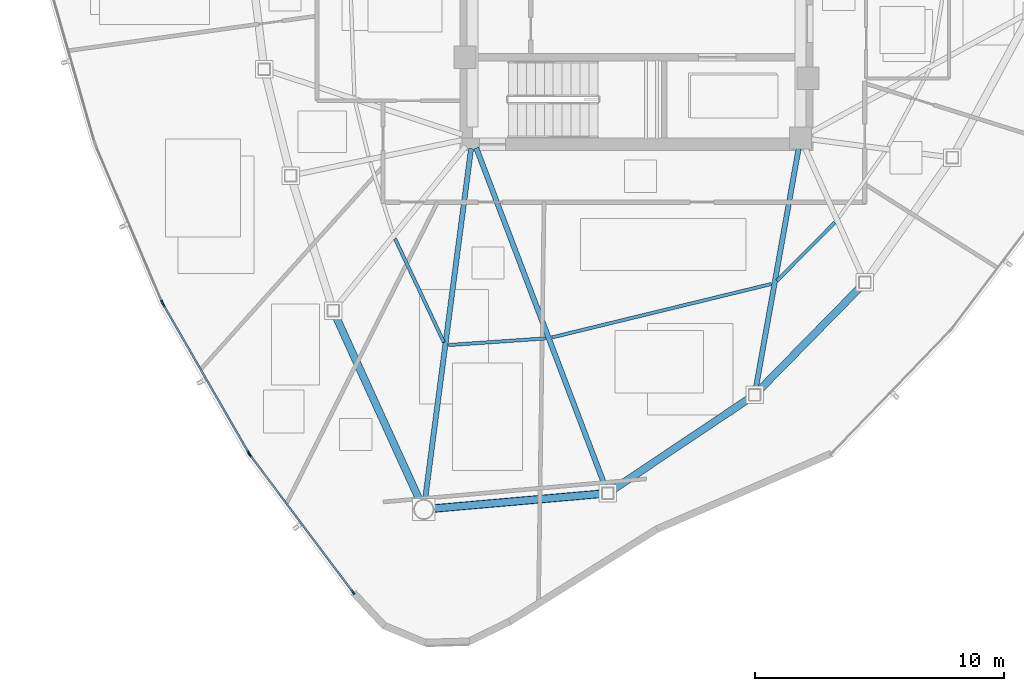
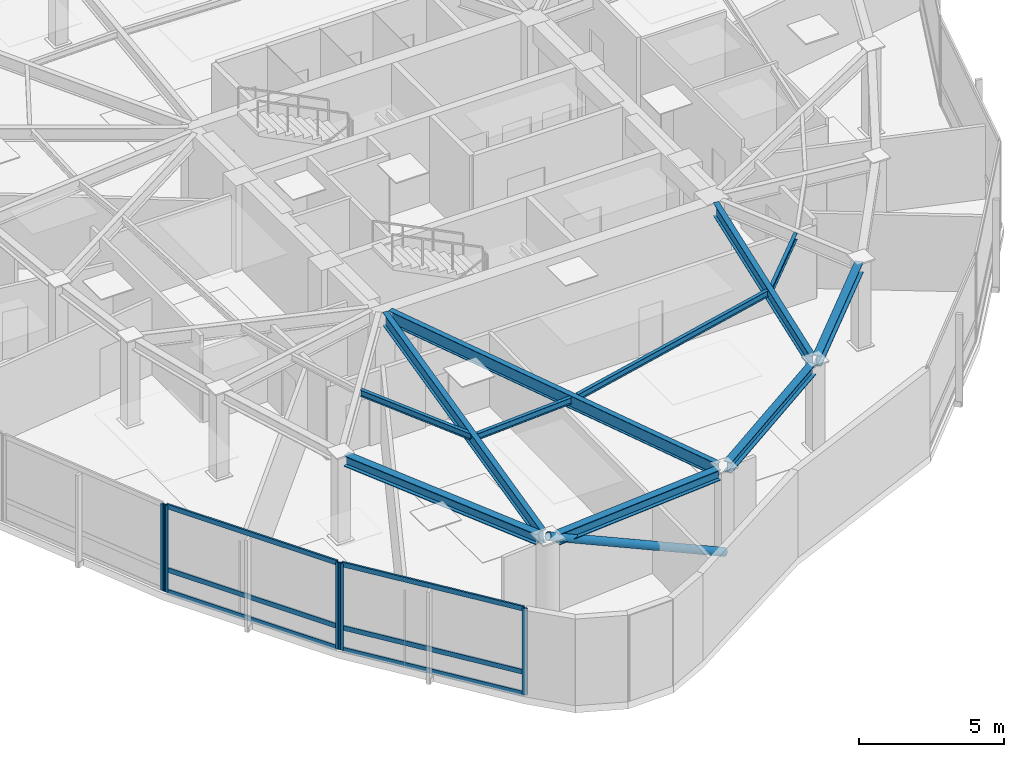
# One storey, part 2 of 14: 12 members, 11 beams, 3 elements without a shape of their own.
"""IFC4 building model written with IfcOpenShell, lengths in metres."""

from ifc_helpers import new_model, si_unit, direction, frame, origin, origin_2d, place, context, subcontext, project, spatial, hollow_rectangle, hollow_circle, i_section, extrude, source, transform, mapped, material, layer, layer_set, material_profile, profile_set, type_object, type_shapes, element, aggregate, save


model = new_model("IFC4")

# Units and contexts
model_context = context("Model", 3, precision=1e-05, world=origin(), true_north=direction((0.0, 1.0)))
body_context = subcontext(model_context, "Body", "Model", "MODEL_VIEW")
ifc_project = project(units=[si_unit("LENGTHUNIT", "METRE"), si_unit("AREAUNIT", "SQUARE_METRE"), si_unit("VOLUMEUNIT", "CUBIC_METRE"), si_unit("PLANEANGLEUNIT", "RADIAN"), si_unit("MASSUNIT", "GRAM", prefix="KILO")], contexts=[model_context])

# Site, building, storey
site_placement = place(None, origin())
site = spatial("IfcSite", under=ifc_project, at=site_placement, CompositionType="ELEMENT")
building_placement = place(site_placement, origin())
building = spatial("IfcBuilding", under=site, at=building_placement, Name="Tavelor Broadcast Tower", CompositionType="ELEMENT")
storey_placement = place(building_placement, frame((0.0, 0.0, 249.800048828125)))
storey = spatial("IfcBuildingStorey", under=building, at=storey_placement, Name="L59", CompositionType="ELEMENT", Elevation=249.800048828125)

# Beams
ifc_material_1 = material(Name="Steel S355", Category="steel")
ifc_material_profile_1 = material_profile(ifc_material_1, i_section(OverallWidth=0.135009765625, OverallDepth=0.27001953125, WebThickness=0.006591796875, FlangeThickness=0.01025390625, at=origin_2d()), Name="IPE 270")
ifc_profile_set_1 = profile_set([ifc_material_profile_1], Name="Steel S355")
beam_type_1 = type_object("IfcBeamType", Name="Composite Floor Joist T6 IPE 270", PredefinedType="JOIST", material=ifc_profile_set_1)
beam_1_placement = place(storey_placement, frame((40.28466796875, 34.7451171875, 3.514892578125), z_axis=(0.426527038786, -0.904474811802, 0.0), x_axis=(0.904474811802, 0.426527038786, 0.0)))
element("IfcBeam", 1, at=beam_1_placement, inside=storey, type_object=beam_type_1, Name="L59 Secondary Composite Floor Joist 06", PredefinedType="JOIST", context=body_context, shape_type="SweptSolid", body=[
    extrude(i_section(OverallWidth=0.135009765625, OverallDepth=0.27001953125, WebThickness=0.006591796875, FlangeThickness=0.01025390625, at=origin_2d()), origin(), (0.0, 0.0, 1.0), 4.60546875),
])
beam_2_placement = place(storey_placement, frame((42.440185546875, 30.46728515625, 3.514892578125), z_axis=(0.997669102567, 0.068237539396, 0.0), x_axis=(-0.068237539396, 0.997669102567, 0.0)))
element("IfcBeam", 2, at=beam_2_placement, inside=storey, type_object=beam_type_1, Name="L59 Secondary Composite Floor Joist 07", PredefinedType="JOIST", context=body_context, shape_type="SweptSolid", body=[
    extrude(i_section(OverallWidth=0.135009765625, OverallDepth=0.27001953125, WebThickness=0.006591796875, FlangeThickness=0.01025390625, at=origin_2d()), origin(), (0.0, 0.0, 1.0), 3.9033203125),
])
beam_3_placement = place(storey_placement, frame((46.598876953125, 30.7744140625, 3.514892578125), z_axis=(0.971610196631, 0.236587459098, 0.0), x_axis=(-0.236587459098, 0.971610196631, 0.0)))
element("IfcBeam", 3, at=beam_3_placement, inside=storey, type_object=beam_type_1, Name="L59 Secondary Composite Floor Joist 08", PredefinedType="JOIST", context=body_context, shape_type="SweptSolid", body=[
    extrude(i_section(OverallWidth=0.135009765625, OverallDepth=0.27001953125, WebThickness=0.006591796875, FlangeThickness=0.01025390625, at=origin_2d()), origin(), (0.0, 0.0, 1.0), 9.0849609375),
])
beam_4_placement = place(storey_placement, frame((55.65087890625, 33.051025390625, 3.514892578125), z_axis=(0.704295844868, 0.709906587448, 0.0), x_axis=(-0.709906587448, 0.704295844868, 0.0)))
element("IfcBeam", 4, at=beam_4_placement, inside=storey, type_object=beam_type_1, Name="L59 Secondary Composite Floor Joist 09", PredefinedType="JOIST", context=body_context, shape_type="SweptSolid", body=[
    extrude(i_section(OverallWidth=0.135009765625, OverallDepth=0.27001953125, WebThickness=0.006591796875, FlangeThickness=0.01025390625, at=origin_2d()), origin(), (0.0, 0.0, 1.0), 3.306884765625),
])
ifc_material_profile_2 = material_profile(ifc_material_1, i_section(OverallWidth=0.300048828125, OverallDepth=0.449951171875, WebThickness=0.013916015625, FlangeThickness=0.02587890625, at=origin_2d()), Name="HEB 450")
ifc_profile_set_2 = profile_set([ifc_material_profile_2], Name="Steel S355")
beam_type_2 = type_object("IfcBeamType", Name="Perimeter Spandrel Beam T6 HEB 450", PredefinedType="SPANDREL", material=ifc_profile_set_2)
beam_5_placement = place(storey_placement, frame((37.896484375, 31.635009765625, 3.425048828125), z_axis=(0.414463300231, -0.910066026595, 0.0), x_axis=(0.910066026595, 0.414463300231, 0.0)))
element("IfcBeam", 5, at=beam_5_placement, inside=storey, type_object=beam_type_2, Name="L59 Framed-Tube Ring Spandrel 06", PredefinedType="SPANDREL", context=body_context, shape_type="SweptSolid", body=[
    extrude(i_section(OverallWidth=0.300048828125, OverallDepth=0.449951171875, WebThickness=0.013916015625, FlangeThickness=0.02587890625, at=origin_2d()), origin(), (0.0, 0.0, 1.0), 8.16015625),
])
beam_6_placement = place(storey_placement, frame((41.828857421875, 23.887939453125, 3.425048828125), z_axis=(0.996154580768, 0.087613076733, 0.0), x_axis=(-0.087613076733, 0.996154580768, 0.0)))
element("IfcBeam", 6, at=beam_6_placement, inside=storey, type_object=beam_type_2, Name="L59 Framed-Tube Ring Spandrel 07", PredefinedType="SPANDREL", context=body_context, shape_type="SweptSolid", body=[
    extrude(i_section(OverallWidth=0.300048828125, OverallDepth=0.449951171875, WebThickness=0.013916015625, FlangeThickness=0.02587890625, at=origin_2d()), origin(), (0.0, 0.0, 1.0), 6.802001953125),
])
beam_7_placement = place(storey_placement, frame((49.043212890625, 24.638427734375, 3.425048828125), z_axis=(0.83097843332, 0.556304631795, 0.0), x_axis=(-0.556304631795, 0.83097843332, 0.0)))
element("IfcBeam", 7, at=beam_7_placement, inside=storey, type_object=beam_type_2, Name="L59 Framed-Tube Ring Spandrel 08", PredefinedType="SPANDREL", context=body_context, shape_type="SweptSolid", body=[
    extrude(i_section(OverallWidth=0.300048828125, OverallDepth=0.449951171875, WebThickness=0.013916015625, FlangeThickness=0.02587890625, at=origin_2d()), origin(), (0.0, 0.0, 1.0), 6.632568359375),
])
beam_8_placement = place(storey_placement, frame((54.922119140625, 28.6328125, 3.425048828125), z_axis=(0.700176807099, 0.713969494307, 0.0), x_axis=(-0.713969494307, 0.700176807099, 0.0)))
element("IfcBeam", 8, at=beam_8_placement, inside=storey, type_object=beam_type_2, Name="L59 Framed-Tube Ring Spandrel 09", PredefinedType="SPANDREL", context=body_context, shape_type="SweptSolid", body=[
    extrude(i_section(OverallWidth=0.300048828125, OverallDepth=0.449951171875, WebThickness=0.013916015625, FlangeThickness=0.02587890625, at=origin_2d()), origin(), (0.0, 0.0, 1.0), 5.85888671875),
])

# Member
ifc_material_profile_3 = material_profile(ifc_material_1, hollow_circle(Radius=0.161865234375, WallThickness=0.01611328125, at=origin_2d()), Name="CHS 323.9x16")
ifc_profile_set_3 = profile_set([ifc_material_profile_3], Name="Steel S355")
member_type_1 = type_object("IfcMemberType", Name="Perimeter Tube Brace T6 CHS 323.9x16", PredefinedType="BRACE", material=ifc_profile_set_3)
member_1_placement = place(storey_placement, frame((48.843994140625, 24.5048828125, 0.0), z_axis=(-0.894155458176, -0.07863591001, 0.440797470808), x_axis=(0.087606208465, -0.996155184817, 0.0)))
element("IfcMember", 9, at=member_1_placement, inside=storey, type_object=member_type_1, Name="L59 Corner Tube Diagonal Brace 2", PredefinedType="BRACE", context=body_context, shape_type="SweptSolid", body=[
    extrude(hollow_circle(Radius=0.161865234375, WallThickness=0.01611328125, at=origin_2d()), origin(), (0.0, 0.0, 1.0), 8.2802734375),
])

# Beams
ifc_material_profile_4 = material_profile(ifc_material_1, i_section(OverallWidth=0.2099609375, OverallDepth=0.550048828125, WebThickness=0.010986328125, FlangeThickness=0.01708984375, at=origin_2d()), Name="IPE 550")
ifc_profile_set_4 = profile_set([ifc_material_profile_4], Name="Steel S355")
beam_type_3 = type_object("IfcBeamType", Name="Radial Floor Girder T6 IPE 550", PredefinedType="BEAM", material=ifc_profile_set_4)
beam_9_placement = place(storey_placement, frame((43.34375, 38.37158203125, 3.375), z_axis=(-0.130001183832, -0.991513838634, 0.0), x_axis=(0.991513838634, -0.130001183832, 0.0)))
element("IfcBeam", 10, at=beam_9_placement, inside=storey, type_object=beam_type_3, Name="L59 Radial Primary Floor Girder 07", PredefinedType="BEAM", context=body_context, shape_type="SweptSolid", body=[
    extrude(i_section(OverallWidth=0.2099609375, OverallDepth=0.550048828125, WebThickness=0.010986328125, FlangeThickness=0.01708984375, at=origin_2d()), origin(), (0.0, 0.0, 1.0), 14.251953125),
])
beam_10_placement = place(storey_placement, frame((43.5537109375, 38.396240234375, 3.375), z_axis=(0.355897443136, -0.934525018375, 0.0), x_axis=(0.934525018375, 0.355897443136, 0.0)))
element("IfcBeam", 11, at=beam_10_placement, inside=storey, type_object=beam_type_3, Name="L59 Radial Primary Floor Girder 08", PredefinedType="BEAM", context=body_context, shape_type="SweptSolid", body=[
    extrude(i_section(OverallWidth=0.2099609375, OverallDepth=0.550048828125, WebThickness=0.010986328125, FlangeThickness=0.01708984375, at=origin_2d()), origin(), (0.0, 0.0, 1.0), 14.62451171875),
])
beam_11_placement = place(storey_placement, frame((56.524169921875, 38.374755859375, 3.375), z_axis=(-0.175770007633, -0.984431259366, 0.0), x_axis=(0.984431259366, -0.175770007633, 0.0)))
element("IfcBeam", 12, at=beam_11_placement, inside=storey, type_object=beam_type_3, Name="L59 Radial Primary Floor Girder 09", PredefinedType="BEAM", context=body_context, shape_type="SweptSolid", body=[
    extrude(i_section(OverallWidth=0.2099609375, OverallDepth=0.550048828125, WebThickness=0.010986328125, FlangeThickness=0.01708984375, at=origin_2d()), origin(), (0.0, 0.0, 1.0), 9.829833984375),
])

# Curtain wall, member
ifc_material_2 = material(Name="Architectural Anodized Aluminium", Category="aluminium")
ifc_layer = layer(ifc_material_2, 0.199951171875)
ifc_layer_set = layer_set([ifc_layer], Name="Architectural Anodized Aluminium")
curtain_wall_type = type_object("IfcCurtainWallType", Name="Tower High-Zone Triple-Glazed Curtain Wall CW04", PredefinedType="NOTDEFINED", material=ifc_layer_set)
curtain_wall_1_placement = place(storey_placement, origin())
curtain_wall_1 = element("IfcCurtainWall", 13, at=curtain_wall_1_placement, inside=storey, type_object=curtain_wall_type, Name="L59 Curtain Wall CW04 Run 638", PredefinedType="NOTDEFINED")
ifc_material_profile_5 = material_profile(ifc_material_2, hollow_rectangle(XDim=0.070068359375, YDim=0.199951171875, WallThickness=0.02197265625, at=origin_2d()), Name="RHS 70x200x22")
ifc_profile_set_5 = profile_set([ifc_material_profile_5], Name="Architectural Anodized Aluminium")
member_type_2 = type_object("IfcMemberType", Name="CW04 Extruded Aluminium Mullion 70x200", PredefinedType="MULLION", material=ifc_profile_set_5)
shared_shape_1 = source(origin(), body_context, "Body", "SweptSolid", [
    extrude(hollow_rectangle(XDim=0.070068359375, YDim=0.199951171875, WallThickness=0.02197265625, at=origin_2d()), origin(), (0.0, 0.0, 1.0), 3.64990234375),
])
type_shapes(member_type_2, [shared_shape_1])
member_2_placement = place(storey_placement, frame((30.9208984375, 32.177001953125, 0.0), z_axis=(0.0, 0.0, 1.0), x_axis=(0.920676396065, 0.390326752514, 0.0)))
member_2 = element("IfcMember", 14, at=member_2_placement, type_object=member_type_2, Name="CW04 mullion 2", PredefinedType="MULLION", context=body_context, shape_type="MappedRepresentation", body=[
    mapped(shared_shape_1, transform((0.0, 0.0, 0.0), scale=1.0)),
])
aggregate(curtain_wall_1, [member_2])

# Curtain wall, members
curtain_wall_2_placement = place(storey_placement, origin())
curtain_wall_2 = element("IfcCurtainWall", 15, at=curtain_wall_2_placement, inside=storey, type_object=curtain_wall_type, Name="L59 Curtain Wall CW04 Run 639", PredefinedType="NOTDEFINED")
member_3_placement = place(storey_placement, frame((30.965576171875, 32.087646484375, 0.0), z_axis=(0.0, 0.0, 1.0), x_axis=(0.866674087741, 0.498874759471, 0.0)))
member_3 = element("IfcMember", 16, at=member_3_placement, type_object=member_type_2, Name="CW04 mullion 1", PredefinedType="MULLION", context=body_context, shape_type="MappedRepresentation", body=[
    mapped(shared_shape_1, transform((0.0, 0.0, 0.0), scale=1.0)),
])
member_4_placement = place(storey_placement, frame((34.3994140625, 26.1220703125, 0.0), z_axis=(0.0, 0.0, 1.0), x_axis=(0.866674087741, 0.498874759471, 0.0)))
member_4 = element("IfcMember", 17, at=member_4_placement, type_object=member_type_2, Name="CW04 mullion 2", PredefinedType="MULLION", context=body_context, shape_type="MappedRepresentation", body=[
    mapped(shared_shape_1, transform((0.0, 0.0, 0.0), scale=1.0)),
])

curtain_wall_3_placement = place(storey_placement, origin())
curtain_wall_3 = element("IfcCurtainWall", 18, at=curtain_wall_3_placement, inside=storey, type_object=curtain_wall_type, Name="L59 Curtain Wall CW04 Run 640", PredefinedType="NOTDEFINED")
member_5_placement = place(storey_placement, frame((34.454345703125, 26.038818359375, 0.0), z_axis=(0.0, 0.0, 1.0), x_axis=(0.799929398528, 0.600094123759, 0.0)))
member_5 = element("IfcMember", 19, at=member_5_placement, type_object=member_type_2, Name="CW04 mullion 1", PredefinedType="MULLION", context=body_context, shape_type="MappedRepresentation", body=[
    mapped(shared_shape_1, transform((0.0, 0.0, 0.0), scale=1.0)),
])
member_6_placement = place(storey_placement, frame((38.594482421875, 20.52001953125, 0.0), z_axis=(0.0, 0.0, 1.0), x_axis=(0.799929398528, 0.600094123759, 0.0)))
member_6 = element("IfcMember", 20, at=member_6_placement, type_object=member_type_2, Name="CW04 mullion 2", PredefinedType="MULLION", context=body_context, shape_type="MappedRepresentation", body=[
    mapped(shared_shape_1, transform((0.0, 0.0, 0.0), scale=1.0)),
])

# Member
ifc_material_profile_6 = material_profile(ifc_material_2, hollow_rectangle(XDim=0.070068359375, YDim=0.199951171875, WallThickness=0.02197265625, at=origin_2d()), Name="RHS 70x200x22")
ifc_profile_set_6 = profile_set([ifc_material_profile_6], Name="Architectural Anodized Aluminium")
member_type_3 = type_object("IfcMemberType", Name="CW04 Extruded Aluminium Transom 70x200", PredefinedType="USERDEFINED", material=ifc_profile_set_6)
shared_shape_2 = source(origin(), body_context, "Body", "SweptSolid", [
    extrude(hollow_rectangle(XDim=0.070068359375, YDim=0.199951171875, WallThickness=0.02197265625, at=origin_2d()), origin(), (0.0, 0.0, 1.0), 6.813232421875),
])
member_7_placement = place(storey_placement, frame((30.98291015625, 32.057373046875, 0.034912109375), z_axis=(0.498876365598, -0.866673163221, 0.0), x_axis=(0.866673163221, 0.498876365598, 0.0)))
member_7 = element("IfcMember", 21, at=member_7_placement, type_object=member_type_3, Name="CW04 transom 1.1", ObjectType="TRANSOM", PredefinedType="USERDEFINED", context=body_context, shape_type="MappedRepresentation", body=[
    mapped(shared_shape_2, transform((0.0, 0.0, 0.0), scale=1.0)),
])

member_8_placement = place(storey_placement, frame((30.98291015625, 32.057373046875, 0.949951171875), z_axis=(0.498876365598, -0.866673163221, 0.0), x_axis=(0.866673163221, 0.498876365598, 0.0)))
member_8 = element("IfcMember", 22, at=member_8_placement, type_object=member_type_3, Name="CW04 transom 1.2", ObjectType="TRANSOM", PredefinedType="USERDEFINED", context=body_context, shape_type="MappedRepresentation", body=[
    mapped(shared_shape_2, transform((0.0, 0.0, 0.0), scale=1.0)),
])

member_9_placement = place(storey_placement, frame((30.98291015625, 32.057373046875, 3.614990234375), z_axis=(0.498876365598, -0.866673163221, 0.0), x_axis=(0.866673163221, 0.498876365598, 0.0)))
member_9 = element("IfcMember", 23, at=member_9_placement, type_object=member_type_3, Name="CW04 transom 1.3", ObjectType="TRANSOM", PredefinedType="USERDEFINED", context=body_context, shape_type="MappedRepresentation", body=[
    mapped(shared_shape_2, transform((0.0, 0.0, 0.0), scale=1.0)),
])

aggregate(curtain_wall_2, [member_3, member_4, member_7, member_8, member_9])

shared_shape_3 = source(origin(), body_context, "Body", "SweptSolid", [
    extrude(hollow_rectangle(XDim=0.070068359375, YDim=0.199951171875, WallThickness=0.02197265625, at=origin_2d()), origin(), (0.0, 0.0, 1.0), 6.8291015625),
])
type_shapes(member_type_3, [shared_shape_2, shared_shape_3])
member_10_placement = place(storey_placement, frame((34.475341796875, 26.0107421875, 0.034912109375), z_axis=(0.600091514856, -0.799931355679, 0.0), x_axis=(0.799931355679, 0.600091514856, 0.0)))
member_10 = element("IfcMember", 24, at=member_10_placement, type_object=member_type_3, Name="CW04 transom 1.1", ObjectType="TRANSOM", PredefinedType="USERDEFINED", context=body_context, shape_type="MappedRepresentation", body=[
    mapped(shared_shape_3, transform((0.0, 0.0, 0.0), scale=1.0)),
])

member_11_placement = place(storey_placement, frame((34.475341796875, 26.0107421875, 0.949951171875), z_axis=(0.600091514856, -0.799931355679, 0.0), x_axis=(0.799931355679, 0.600091514856, 0.0)))
member_11 = element("IfcMember", 25, at=member_11_placement, type_object=member_type_3, Name="CW04 transom 1.2", ObjectType="TRANSOM", PredefinedType="USERDEFINED", context=body_context, shape_type="MappedRepresentation", body=[
    mapped(shared_shape_3, transform((0.0, 0.0, 0.0), scale=1.0)),
])

member_12_placement = place(storey_placement, frame((34.475341796875, 26.0107421875, 3.614990234375), z_axis=(0.600091514856, -0.799931355679, 0.0), x_axis=(0.799931355679, 0.600091514856, 0.0)))
member_12 = element("IfcMember", 26, at=member_12_placement, type_object=member_type_3, Name="CW04 transom 1.3", ObjectType="TRANSOM", PredefinedType="USERDEFINED", context=body_context, shape_type="MappedRepresentation", body=[
    mapped(shared_shape_3, transform((0.0, 0.0, 0.0), scale=1.0)),
])

aggregate(curtain_wall_3, [member_5, member_6, member_10, member_11, member_12])

save(model, "model.ifc")
